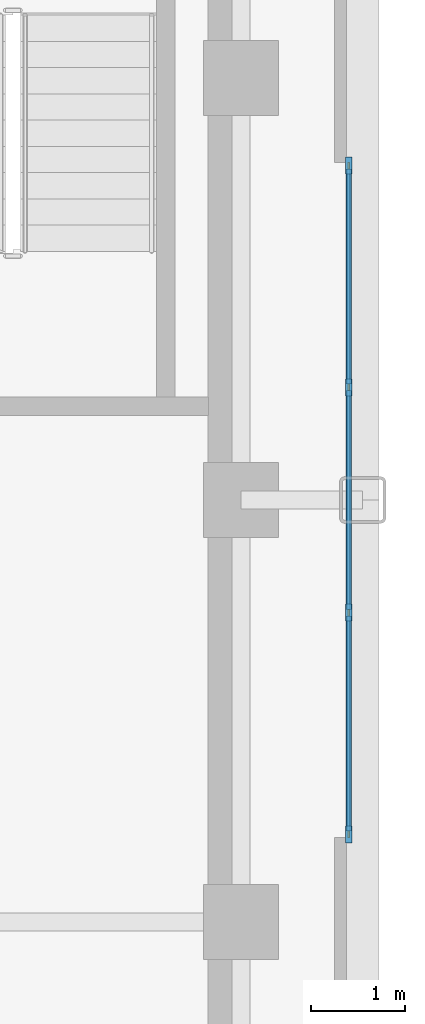
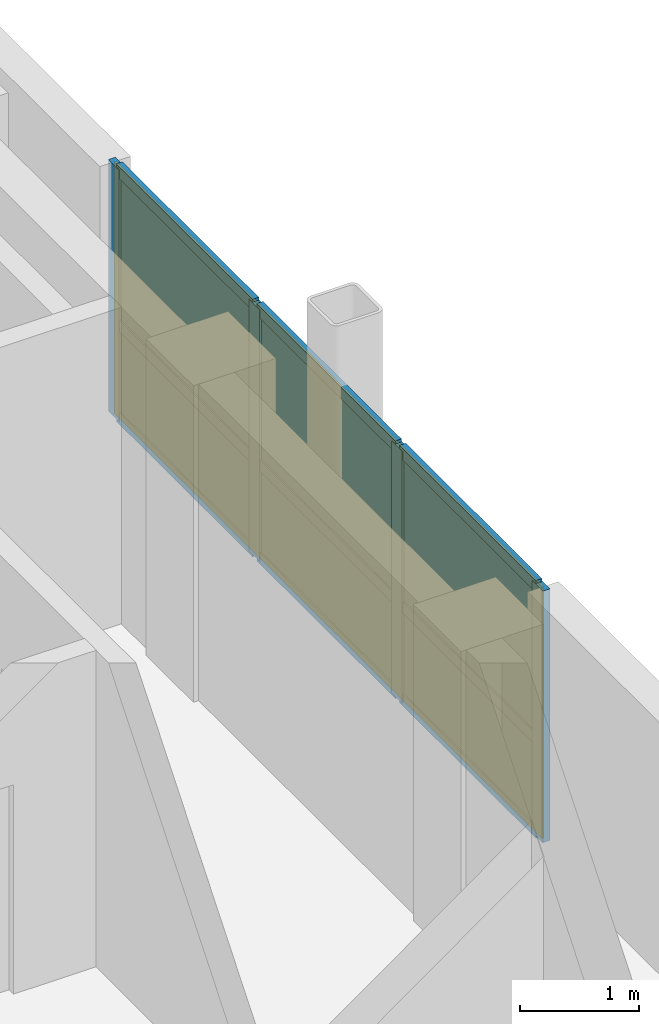
# One storey, part 11 of 16: 13 members, 6 plates, 1 curtain wall.
"""IFC4 building model written with IfcOpenShell, lengths in metres."""

from ifc_helpers import new_model, si_unit, direction, frame, frame_2d, origin, origin_2d, place, context, subcontext, project, spatial, rectangle, extrude, source, transform, mapped, material, layer, layer_set, material_profile, profile_set, type_object, type_shapes, element, aggregate, save


model = new_model("IFC4")

# Units and contexts
model_context = context("Model", 3, precision=1e-05, world=origin(), true_north=direction((0.0, 1.0)))
body_context = subcontext(model_context, "Body", "Model", "MODEL_VIEW")
ifc_project = project(units=[si_unit("LENGTHUNIT", "METRE"), si_unit("AREAUNIT", "SQUARE_METRE"), si_unit("VOLUMEUNIT", "CUBIC_METRE"), si_unit("PLANEANGLEUNIT", "RADIAN"), si_unit("MASSUNIT", "GRAM", prefix="KILO")], contexts=[model_context])

# Member
ifc_material_1 = material(Name="Anodised aluminium 6063-T6", Category="aluminium")
ifc_material_profile_1 = material_profile(ifc_material_1, rectangle(XDim=0.070068359375, YDim=0.179931640625, at=origin_2d()), Name="ALU-MULL-70x180")
ifc_profile_set_1 = profile_set([ifc_material_profile_1], Name="Anodised aluminium 6063-T6")
member_type_1 = type_object("IfcMemberType", Name="CWM-5", PredefinedType="MULLION", material=ifc_profile_set_1)
site_placement = place(None, origin())
building_placement = place(site_placement, origin())
storey_placement = place(building_placement, frame((0.0, 0.0, 249.300048828125)))
member_1_placement = place(storey_placement, frame((18.64990234375, -3.56494140625, 0.0), z_axis=(0.0, 0.0, 1.0), x_axis=(-1.0, 0.0, 0.0)))
member_1 = element("IfcMember", 1, at=member_1_placement, type_object=member_type_1, Name="CWS-5 mullion 1", PredefinedType="MULLION", context=body_context, shape_type="SweptSolid", body=[
    extrude(rectangle(XDim=0.070068359375, YDim=0.179931640625, at=origin_2d()), origin(), (0.0, 0.0, 1.0), 2.5849609375),
])

member_2_placement = place(storey_placement, frame((18.64990234375, -1.199951171875, 0.0), z_axis=(0.0, 0.0, 1.0), x_axis=(-1.0, 0.0, 0.0)))
member_2 = element("IfcMember", 2, at=member_2_placement, type_object=member_type_1, Name="CWS-5 mullion 2", PredefinedType="MULLION", context=body_context, shape_type="SweptSolid", body=[
    extrude(rectangle(XDim=0.070068359375, YDim=0.179931640625, at=origin_2d()), origin(), (0.0, 0.0, 1.0), 2.5849609375),
])

member_3_placement = place(storey_placement, frame((18.64990234375, 1.199951171875, 0.0), z_axis=(0.0, 0.0, 1.0), x_axis=(-1.0, 0.0, 0.0)))
member_3 = element("IfcMember", 3, at=member_3_placement, type_object=member_type_1, Name="CWS-5 mullion 3", PredefinedType="MULLION", context=body_context, shape_type="SweptSolid", body=[
    extrude(rectangle(XDim=0.070068359375, YDim=0.179931640625, at=origin_2d()), origin(), (0.0, 0.0, 1.0), 2.5849609375),
])

member_4_placement = place(storey_placement, frame((18.64990234375, 3.56494140625, 0.0), z_axis=(0.0, 0.0, 1.0), x_axis=(-1.0, 0.0, 0.0)))
member_4 = element("IfcMember", 4, at=member_4_placement, type_object=member_type_1, Name="CWS-5 mullion 4", PredefinedType="MULLION", context=body_context, shape_type="SweptSolid", body=[
    extrude(rectangle(XDim=0.070068359375, YDim=0.179931640625, at=origin_2d()), origin(), (0.0, 0.0, 1.0), 2.5849609375),
])

ifc_material_profile_2 = material_profile(ifc_material_1, rectangle(XDim=0.06005859375, YDim=0.1201171875, at=origin_2d()), Name="ALU-TRAN-60x120")
ifc_profile_set_2 = profile_set([ifc_material_profile_2], Name="Anodised aluminium 6063-T6")
member_type_2 = type_object("IfcMemberType", Name="CWT-5", PredefinedType="USERDEFINED", material=ifc_profile_set_2)
member_5_placement = place(storey_placement, frame((18.64990234375, -3.530029296875, 0.030029296875), z_axis=(0.0, 1.0, 0.0), x_axis=(-1.0, 0.0, 0.0)))
member_5 = element("IfcMember", 5, at=member_5_placement, type_object=member_type_2, Name="CWS-5 transom 1.1", ObjectType="TRANSOM", PredefinedType="USERDEFINED", context=body_context, shape_type="SweptSolid", body=[
    extrude(rectangle(XDim=0.06005859375, YDim=0.1201171875, at=origin_2d()), origin(), (0.0, 0.0, 1.0), 2.294921875),
])

member_6_placement = place(storey_placement, frame((18.64990234375, -3.530029296875, 0.982177734375), z_axis=(0.0, 1.0, 0.0), x_axis=(-1.0, 0.0, 0.0)))
member_6 = element("IfcMember", 6, at=member_6_placement, type_object=member_type_2, Name="CWS-5 transom 1.2", ObjectType="TRANSOM", PredefinedType="USERDEFINED", context=body_context, shape_type="SweptSolid", body=[
    extrude(rectangle(XDim=0.06005859375, YDim=0.1201171875, at=origin_2d()), origin(), (0.0, 0.0, 1.0), 2.294921875),
])

member_7_placement = place(storey_placement, frame((18.64990234375, -3.530029296875, 2.554931640625), z_axis=(0.0, 1.0, 0.0), x_axis=(-1.0, 0.0, 0.0)))
member_7 = element("IfcMember", 7, at=member_7_placement, type_object=member_type_2, Name="CWS-5 transom 1.3", ObjectType="TRANSOM", PredefinedType="USERDEFINED", context=body_context, shape_type="SweptSolid", body=[
    extrude(rectangle(XDim=0.06005859375, YDim=0.1201171875, at=origin_2d()), origin(), (0.0, 0.0, 1.0), 2.294921875),
])

member_8_placement = place(storey_placement, frame((18.64990234375, -1.1650390625, 0.030029296875), z_axis=(0.0, 1.0, 0.0), x_axis=(-1.0, 0.0, 0.0)))
member_8 = element("IfcMember", 8, at=member_8_placement, type_object=member_type_2, Name="CWS-5 transom 2.1", ObjectType="TRANSOM", PredefinedType="USERDEFINED", context=body_context, shape_type="SweptSolid", body=[
    extrude(rectangle(XDim=0.06005859375, YDim=0.1201171875, at=origin_2d()), origin(), (0.0, 0.0, 1.0), 2.330078125),
])

member_9_placement = place(storey_placement, frame((18.64990234375, -1.1650390625, 0.982177734375), z_axis=(0.0, 1.0, 0.0), x_axis=(-1.0, 0.0, 0.0)))
member_9 = element("IfcMember", 9, at=member_9_placement, type_object=member_type_2, Name="CWS-5 transom 2.2", ObjectType="TRANSOM", PredefinedType="USERDEFINED", context=body_context, shape_type="SweptSolid", body=[
    extrude(rectangle(XDim=0.06005859375, YDim=0.1201171875, at=origin_2d()), origin(), (0.0, 0.0, 1.0), 2.330078125),
])

member_10_placement = place(storey_placement, frame((18.64990234375, -1.1650390625, 2.554931640625), z_axis=(0.0, 1.0, 0.0), x_axis=(-1.0, 0.0, 0.0)))
member_10 = element("IfcMember", 10, at=member_10_placement, type_object=member_type_2, Name="CWS-5 transom 2.3", ObjectType="TRANSOM", PredefinedType="USERDEFINED", context=body_context, shape_type="SweptSolid", body=[
    extrude(rectangle(XDim=0.06005859375, YDim=0.1201171875, at=origin_2d()), origin(), (0.0, 0.0, 1.0), 2.330078125),
])

member_11_placement = place(storey_placement, frame((18.64990234375, 1.235107421875, 0.030029296875), z_axis=(0.0, 1.0, 0.0), x_axis=(-1.0, 0.0, 0.0)))
member_11 = element("IfcMember", 11, at=member_11_placement, type_object=member_type_2, Name="CWS-5 transom 3.1", ObjectType="TRANSOM", PredefinedType="USERDEFINED", context=body_context, shape_type="SweptSolid", body=[
    extrude(rectangle(XDim=0.06005859375, YDim=0.1201171875, at=origin_2d()), origin(), (0.0, 0.0, 1.0), 2.294921875),
])

member_12_placement = place(storey_placement, frame((18.64990234375, 1.235107421875, 0.982177734375), z_axis=(0.0, 1.0, 0.0), x_axis=(-1.0, 0.0, 0.0)))
member_12 = element("IfcMember", 12, at=member_12_placement, type_object=member_type_2, Name="CWS-5 transom 3.2", ObjectType="TRANSOM", PredefinedType="USERDEFINED", context=body_context, shape_type="SweptSolid", body=[
    extrude(rectangle(XDim=0.06005859375, YDim=0.1201171875, at=origin_2d()), origin(), (0.0, 0.0, 1.0), 2.294921875),
])

member_13_placement = place(storey_placement, frame((18.64990234375, 1.235107421875, 2.554931640625), z_axis=(0.0, 1.0, 0.0), x_axis=(-1.0, 0.0, 0.0)))
member_13 = element("IfcMember", 13, at=member_13_placement, type_object=member_type_2, Name="CWS-5 transom 3.3", ObjectType="TRANSOM", PredefinedType="USERDEFINED", context=body_context, shape_type="SweptSolid", body=[
    extrude(rectangle(XDim=0.06005859375, YDim=0.1201171875, at=origin_2d()), origin(), (0.0, 0.0, 1.0), 2.294921875),
])

# Plate
ifc_material_2 = material(Name="Insulated solar-control glass", Category="glass")
ifc_layer_1 = layer(ifc_material_2, 0.033935546875, Name="CWP-5")
ifc_layer_set_1 = layer_set([ifc_layer_1], Name="Insulated solar-control glass")
plate_type = type_object("IfcPlateType", Name="CWP-5", PredefinedType="CURTAIN_PANEL", material=ifc_layer_set_1)
shared_shape_1 = source(origin(), body_context, "Body", "SweptSolid", [
    extrude(rectangle(XDim=2.294921875, YDim=0.033935546875, at=origin_2d()), origin(), (0.0, 0.0, 1.0), 0.892333984375),
])
plate_1_placement = place(storey_placement, frame((18.64990234375, -2.382568359375, 0.06005859375), z_axis=(0.0, 0.0, 1.0), x_axis=(0.0, 1.0, 0.0)))
plate_1 = element("IfcPlate", 14, at=plate_1_placement, type_object=plate_type, Name="CWS-5 panel 1.1", PredefinedType="CURTAIN_PANEL", context=body_context, shape_type="MappedRepresentation", body=[
    mapped(shared_shape_1, transform((0.0, 0.0, 0.0), scale=1.0)),
])

plate_2_placement = place(storey_placement, frame((18.64990234375, 2.382568359375, 0.06005859375), z_axis=(0.0, 0.0, 1.0), x_axis=(0.0, 1.0, 0.0)))
plate_2 = element("IfcPlate", 15, at=plate_2_placement, type_object=plate_type, Name="CWS-5 panel 3.1", PredefinedType="CURTAIN_PANEL", context=body_context, shape_type="MappedRepresentation", body=[
    mapped(shared_shape_1, transform((0.0, 0.0, 0.0), scale=1.0)),
])

shared_shape_2 = source(origin(), body_context, "Body", "SweptSolid", [
    extrude(rectangle(XDim=2.294921875, YDim=0.033935546875, at=origin_2d()), origin(), (0.0, 0.0, 1.0), 1.5126953125),
])
plate_3_placement = place(storey_placement, frame((18.64990234375, -2.382568359375, 1.01220703125), z_axis=(0.0, 0.0, 1.0), x_axis=(0.0, 1.0, 0.0)))
plate_3 = element("IfcPlate", 16, at=plate_3_placement, type_object=plate_type, Name="CWS-5 panel 1.2", PredefinedType="CURTAIN_PANEL", context=body_context, shape_type="MappedRepresentation", body=[
    mapped(shared_shape_2, transform((0.0, 0.0, 0.0), scale=1.0)),
])

plate_4_placement = place(storey_placement, frame((18.64990234375, 2.382568359375, 1.01220703125), z_axis=(0.0, 0.0, 1.0), x_axis=(0.0, 1.0, 0.0)))
plate_4 = element("IfcPlate", 17, at=plate_4_placement, type_object=plate_type, Name="CWS-5 panel 3.2", PredefinedType="CURTAIN_PANEL", context=body_context, shape_type="MappedRepresentation", body=[
    mapped(shared_shape_2, transform((0.0, 0.0, 0.0), scale=1.0)),
])

shared_shape_3 = source(origin(), body_context, "Body", "SweptSolid", [
    extrude(rectangle(XDim=2.330078125, YDim=0.033935546875, at=origin_2d()), origin(), (0.0, 0.0, 1.0), 0.892333984375),
])
plate_5_placement = place(storey_placement, frame((18.64990234375, 0.0, 0.06005859375), z_axis=(0.0, 0.0, 1.0), x_axis=(0.0, 1.0, 0.0)))
plate_5 = element("IfcPlate", 18, at=plate_5_placement, type_object=plate_type, Name="CWS-5 panel 2.1", PredefinedType="CURTAIN_PANEL", context=body_context, shape_type="MappedRepresentation", body=[
    mapped(shared_shape_3, transform((0.0, 0.0, 0.0), scale=1.0)),
])

shared_shape_4 = source(origin(), body_context, "Body", "SweptSolid", [
    extrude(rectangle(XDim=2.330078125, YDim=0.033935546875, at=origin_2d()), origin(), (0.0, 0.0, 1.0), 1.5126953125),
])
type_shapes(plate_type, [shared_shape_1, shared_shape_2, shared_shape_3, shared_shape_4])
plate_6_placement = place(storey_placement, frame((18.64990234375, 0.0, 1.01220703125), z_axis=(0.0, 0.0, 1.0), x_axis=(0.0, 1.0, 0.0)))
plate_6 = element("IfcPlate", 19, at=plate_6_placement, type_object=plate_type, Name="CWS-5 panel 2.2", PredefinedType="CURTAIN_PANEL", context=body_context, shape_type="MappedRepresentation", body=[
    mapped(shared_shape_4, transform((0.0, 0.0, 0.0), scale=1.0)),
])

# Site, building, storey
site = spatial("IfcSite", under=ifc_project, at=site_placement, CompositionType="ELEMENT")
building = spatial("IfcBuilding", under=site, at=building_placement, Name="Nuvemarco Arch Tower", CompositionType="ELEMENT")
storey = spatial("IfcBuildingStorey", under=building, at=storey_placement, Name="L66", CompositionType="ELEMENT", Elevation=249.300048828125)

# Curtain wall
ifc_layer_2 = layer(ifc_material_2, 0.179931640625, Name="CW-SYS-5")
ifc_layer_set_2 = layer_set([ifc_layer_2], Name="Insulated solar-control glass")
curtain_wall_type = type_object("IfcCurtainWallType", Name="CW-SYS-5", PredefinedType="NOTDEFINED", material=ifc_layer_set_2)
curtain_wall_placement = place(storey_placement, frame((18.64990234375, -3.60009765625, 0.0), z_axis=(0.0, 0.0, 1.0), x_axis=(0.0, 1.0, 0.0)))
curtain_wall = element("IfcCurtainWall", 20, at=curtain_wall_placement, inside=storey, type_object=curtain_wall_type, Name="L66 curtain wall CWS-5", PredefinedType="NOTDEFINED", context=body_context, shape_type="SweptSolid", body=[
    extrude(rectangle(XDim=7.2001953125, YDim=0.02001953125, at=frame_2d((3.60009765625, 0.0))), origin(), (0.0, 0.0, 1.0), 2.5849609375),
])

aggregate(curtain_wall, [member_1, member_2, member_3, member_4, member_5, member_6, member_7, plate_1, plate_3, member_8, member_9, member_10, plate_5, plate_6, member_11, member_12, member_13, plate_2, plate_4])

save(model, "model.ifc")
